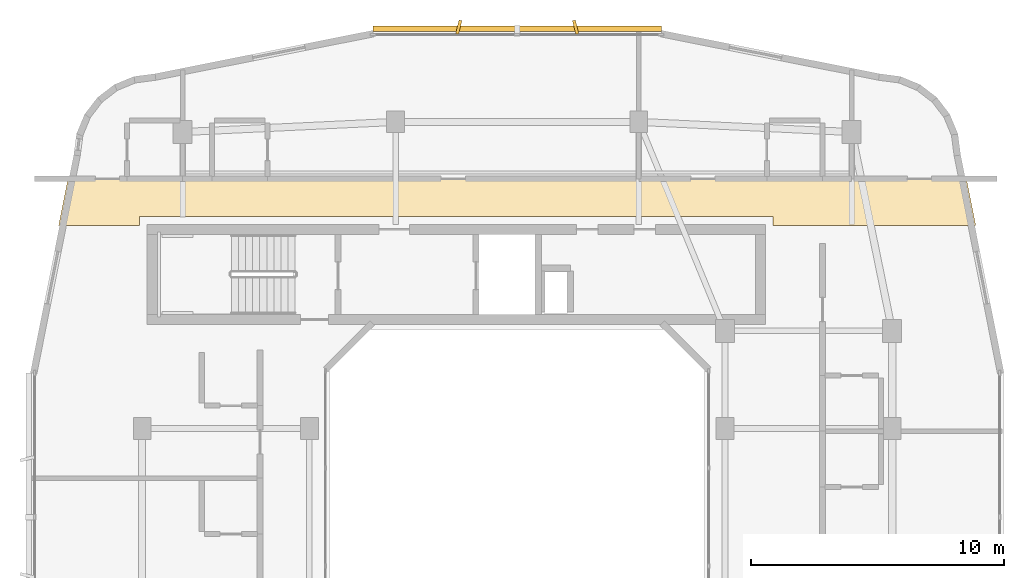
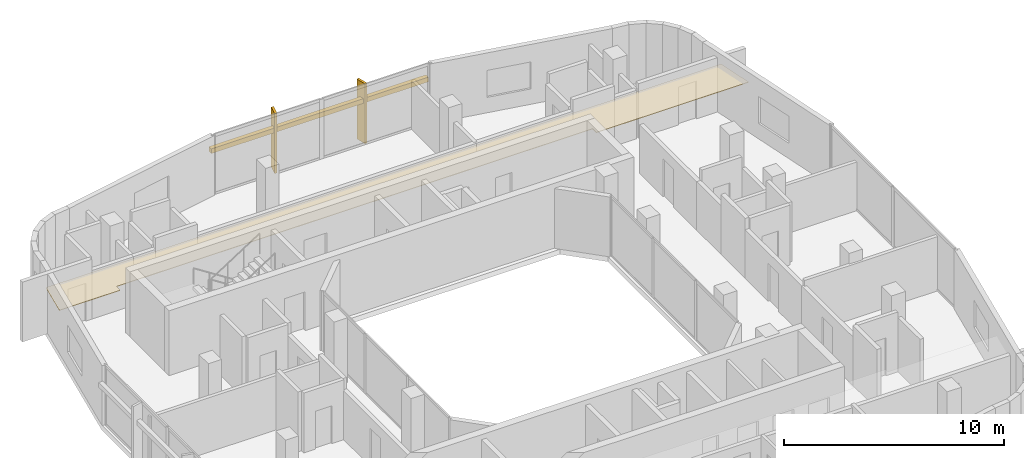
# One storey, part 14 of 14: 3 shading devices, 1 covering.
"""IFC4 building model written with IfcOpenShell, lengths in metres."""

from ifc_helpers import new_model, si_unit, derived_unit, direction, frame, origin, origin_2d, place, context, subcontext, project, spatial, polyline, rectangle, outline, extrude, material, layer, layer_set, type_object, element, save


model = new_model("IFC4")

# Units and contexts
model_context = context("Model", 3, precision=1e-05, world=origin(), true_north=direction((0.0, 1.0)))
body_context = subcontext(model_context, "Body", "Model", "MODEL_VIEW")
ifc_project = project(units=[si_unit("LENGTHUNIT", "METRE"), si_unit("AREAUNIT", "SQUARE_METRE"), si_unit("VOLUMEUNIT", "CUBIC_METRE"), si_unit("PLANEANGLEUNIT", "RADIAN"), si_unit("MASSUNIT", "GRAM", prefix="KILO"), derived_unit("THERMALTRANSMITTANCEUNIT", [(si_unit("POWERUNIT", "WATT"), 1), (si_unit("LENGTHUNIT", "METRE"), -2), (si_unit("THERMODYNAMICTEMPERATUREUNIT", "KELVIN"), -1)])], contexts=[model_context])

# Site, building, storey
site_placement = place(None, origin())
site = spatial("IfcSite", under=ifc_project, at=site_placement, CompositionType="ELEMENT")
building_placement = place(site_placement, origin())
building = spatial("IfcBuilding", under=site, at=building_placement, Name="Kivonza Crest Hotel", CompositionType="ELEMENT")
storey_placement = place(building_placement, frame((0.0, 0.0, 202.699951171875)))
storey = spatial("IfcBuildingStorey", under=building, at=storey_placement, Name="L55", CompositionType="ELEMENT", Elevation=202.699951171875)

# Covering
ifc_material_1 = material(Name="Moisture-resistant gypsum plasterboard ceiling", Category="gypsum")
ifc_layer = layer(ifc_material_1, 0.030029296875)
ifc_layer_set = layer_set([ifc_layer], Name="Moisture-resistant gypsum plasterboard ceiling")
covering_type = type_object("IfcCoveringType", Name="CV-CEIL-GYP", PredefinedType="CEILING", material=ifc_layer_set)
covering_placement = place(storey_placement, frame((0.0, 0.0, 2.449951171875)))
element("IfcCovering", 1, at=covering_placement, inside=storey, type_object=covering_type, Name="L55 Hotel North Guest Corridor suspended ceiling", PredefinedType="CEILING", context=body_context, shape_type="SweptSolid", body=[
    extrude(outline(polyline([(3.278076171875, 38.389892578125), (2.906005859375, 36.52001953125), (6.10009765625, 36.52001953125), (6.10009765625, 36.860107421875), (31.10009765625, 36.860107421875), (31.10009765625, 36.52001953125), (39.093994140625, 36.52001953125), (38.721923828125, 38.389892578125), (3.278076171875, 38.389892578125)])), origin(), (0.0, 0.0, 1.0), 0.030029296875),
])

# Shading devices
ifc_material_2 = material(Name="Kiln-fired Nairobi red-ochre terracotta", Category="masonry")
shading_device_type_1 = type_object("IfcShadingDeviceType", Name="SH-BAGUETTE-300", PredefinedType="USERDEFINED", material=ifc_material_2)
shading_device_placement = place(storey_placement, frame((21.0, 44.280029296875, 2.19384765625), z_axis=(0.0, 0.0, 1.0), x_axis=(-1.0, 0.0, 0.0)))
element("IfcShadingDevice", 2, at=shading_device_placement, inside=storey, type_object=shading_device_type_1, Name="L55 terracotta baguette screen CW-T1-L55-26", ObjectType="BAGUETTE", PredefinedType="USERDEFINED", context=body_context, shape_type="SweptSolid", body=[
    extrude(rectangle(XDim=11.39990234375, YDim=0.219970703125, at=origin_2d()), origin(), (0.0, 0.0, 1.0), 0.260009765625),
])
ifc_material_3 = material(Name="Kiln-fired terracotta over extruded aluminium spine", Category="masonry")
shading_device_type_2 = type_object("IfcShadingDeviceType", Name="SH-FIN-550", PredefinedType="USERDEFINED", material=ifc_material_3)
for number, where, z_axis, x_axis, name in (
    (3, (23.303955078125, 44.340087890625, 0.0), (0.0, 0.0, 1.0), (-0.970295726276, -0.2419218956, 0.0), "L55 vertical solar shading fin CW-T1-L55-26-1"),
    (4, (18.696044921875, 44.340087890625, 0.0), (0.0, 0.0, 1.0), (-0.970295726276, 0.2419218956, 0.0), "L55 vertical solar shading fin CW-T1-L55-26-2"),
):
    element("IfcShadingDevice", number, at=place(storey_placement, frame(where, z_axis=z_axis, x_axis=x_axis)), inside=storey, type_object=shading_device_type_2, Name=name, ObjectType="FIN", PredefinedType="USERDEFINED", context=body_context, shape_type="SweptSolid", body=[
        extrude(rectangle(XDim=0.1201171875, YDim=0.550048828125, at=origin_2d()), origin(), (0.0, 0.0, 1.0), 3.320068359375),
    ])

save(model, "model.ifc")
